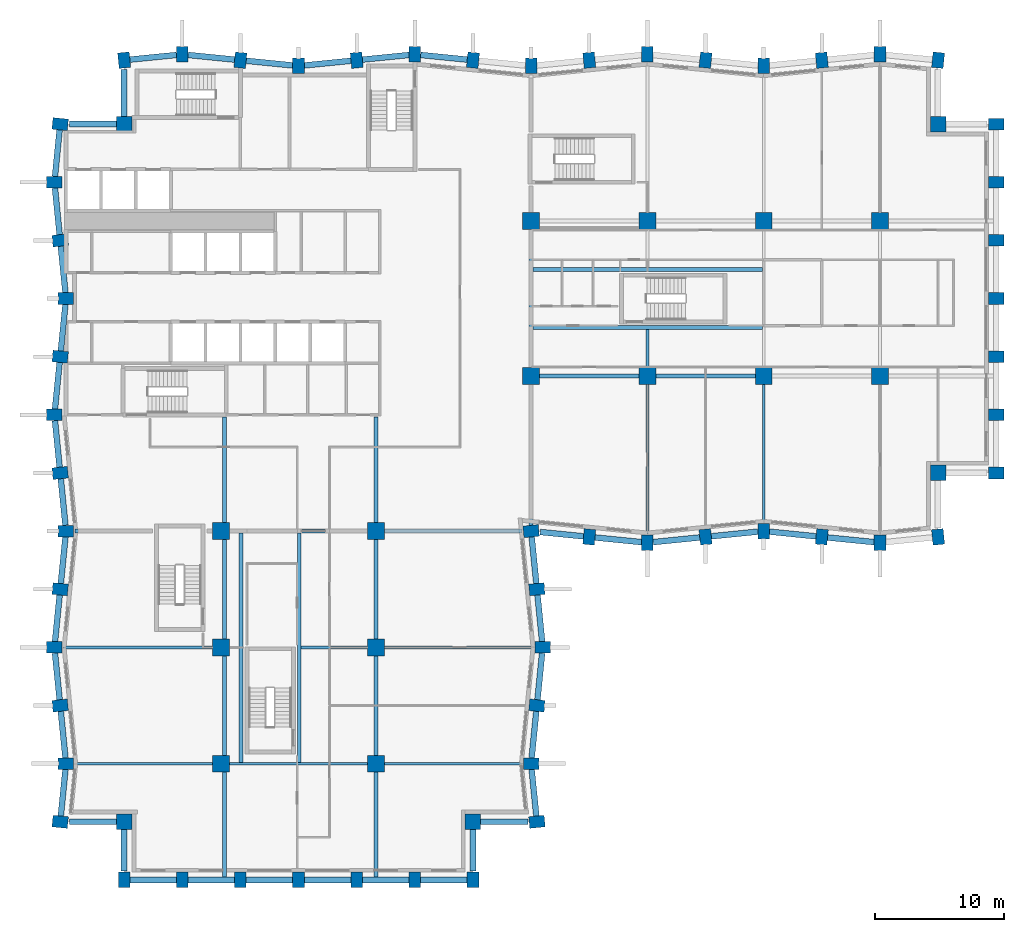
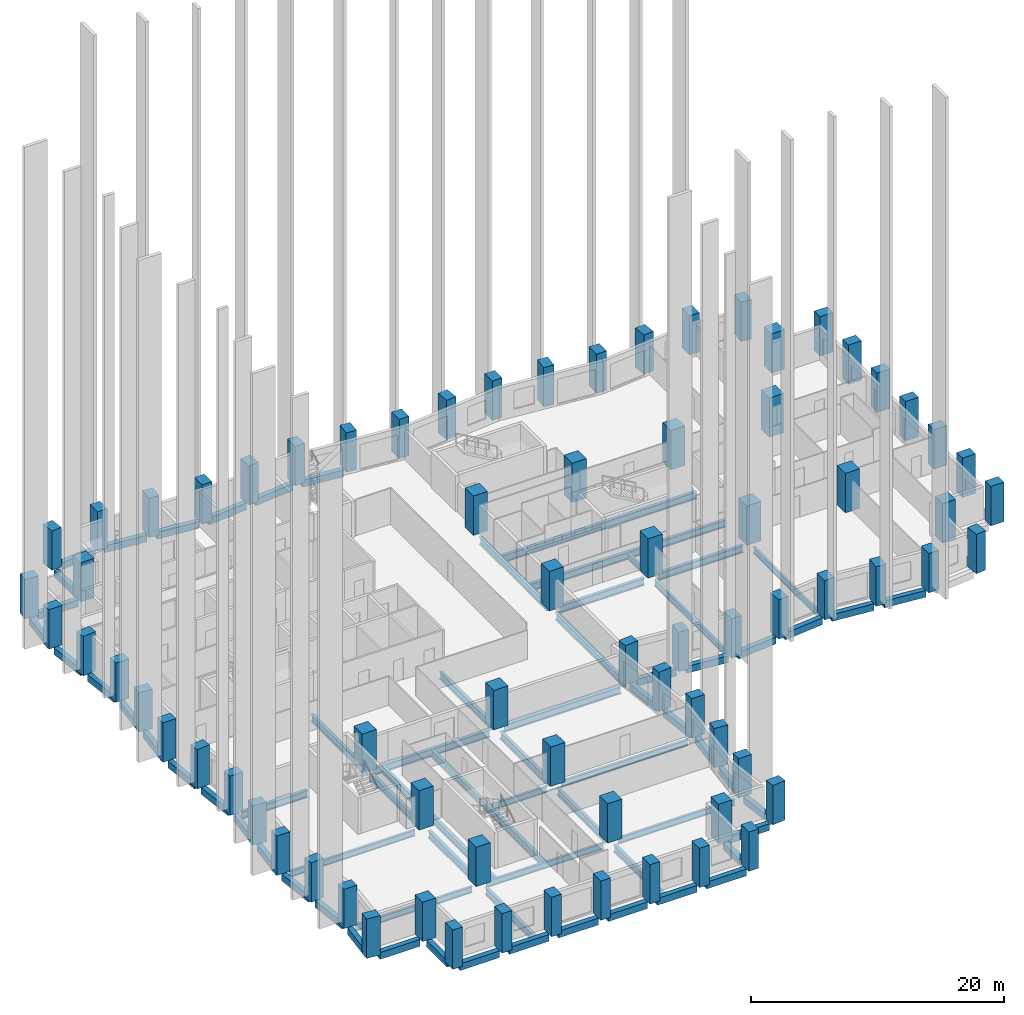
# One storey, part 1 of 12: 74 columns, 69 beams.
"""IFC4 building model written with IfcOpenShell, lengths in metres."""

from ifc_helpers import new_model, si_unit, direction, frame, origin, origin_2d, place, context, subcontext, project, spatial, rectangle, i_section, extrude, material, material_profile, profile_set, type_object, element, save


model = new_model("IFC4")

# Units and contexts
model_context = context("Model", 3, precision=1e-05, world=origin(), true_north=direction((0.0, 1.0)))
body_context = subcontext(model_context, "Body", "Model", "MODEL_VIEW")
ifc_project = project(units=[si_unit("LENGTHUNIT", "METRE"), si_unit("AREAUNIT", "SQUARE_METRE"), si_unit("VOLUMEUNIT", "CUBIC_METRE"), si_unit("PLANEANGLEUNIT", "RADIAN"), si_unit("MASSUNIT", "GRAM", prefix="KILO")], contexts=[model_context])

# Site, building, storey
site_placement = place(None, origin())
site = spatial("IfcSite", under=ifc_project, at=site_placement, CompositionType="ELEMENT")
building_placement = place(site_placement, origin())
building = spatial("IfcBuilding", under=site, at=building_placement, Name="Brondeck Convention Tower", CompositionType="ELEMENT")
storey_placement = place(building_placement, frame((0.0, 0.0, 88.5)))
storey = spatial("IfcBuildingStorey", under=building, at=storey_placement, Name="L20", CompositionType="ELEMENT", Elevation=88.5)

# Columns
ifc_material_1 = material(Name="Concrete C70/85", Category="concrete")
ifc_material_profile_1 = material_profile(ifc_material_1, rectangle(XDim=1.199951171875, YDim=1.199951171875, at=origin_2d()), Name="Corner column 1200x1200 Concrete C70/85")
ifc_profile_set_1 = profile_set([ifc_material_profile_1], Name="Concrete C70/85")
column_type_1 = type_object("IfcColumnType", Name="Corner column 1200x1200 Concrete C70/85", PredefinedType="COLUMN", material=ifc_profile_set_1)
for number, where, z_axis, x_axis, name in (
    (1, (4.5, 4.5, 0.0), (0.0, 0.0, 1.0), (1.0, 0.0, 0.0), "STR-COL-L20-NC-SWB0"),
    (2, (31.5, 4.5, 0.0), (0.0, 0.0, 1.0), (1.0, 0.0, 0.0), "STR-COL-L20-NC-SEB0"),
    (3, (67.5, 31.5, 0.0), (0.0, 0.0, 1.0), (1.0, 0.0, 0.0), "STR-COL-L20-NC-SEA72"),
    (4, (67.5, 58.5, 0.0), (0.0, 0.0, 1.0), (1.0, 0.0, 0.0), "STR-COL-L20-NC-NEA72"),
    (5, (4.5, 58.5, 0.0), (0.0, 0.0, 1.0), (1.0, 0.0, 0.0), "STR-COL-L20-NC-NW"),
):
    element("IfcColumn", number, at=place(storey_placement, frame(where, z_axis=z_axis, x_axis=x_axis)), inside=storey, type_object=column_type_1, Name=name, PredefinedType="COLUMN", context=body_context, shape_type="SweptSolid", body=[
        extrude(rectangle(XDim=1.199951171875, YDim=1.199951171875, at=origin_2d()), origin(), (0.0, 0.0, 1.0), 3.800048828125),
    ])
ifc_material_profile_2 = material_profile(ifc_material_1, rectangle(XDim=1.300048828125, YDim=1.300048828125, at=origin_2d()), Name="Interior column 1300x1300 Concrete C70/85")
ifc_profile_set_2 = profile_set([ifc_material_profile_2], Name="Concrete C70/85")
column_type_2 = type_object("IfcColumnType", Name="Interior column 1300x1300 Concrete C70/85", PredefinedType="COLUMN", material=ifc_profile_set_2)
for number, where, z_axis, x_axis, name in (
    (6, (12.0, 9.0, 0.0), (0.0, 0.0, 1.0), (1.0, 0.0, 0.0), "STR-COL-L20-IC-01"),
    (7, (12.0, 18.0, 0.0), (0.0, 0.0, 1.0), (1.0, 0.0, 0.0), "STR-COL-L20-IC-02"),
    (8, (12.0, 27.0, 0.0), (0.0, 0.0, 1.0), (1.0, 0.0, 0.0), "STR-COL-L20-IC-03"),
    (9, (24.0, 9.0, 0.0), (0.0, 0.0, 1.0), (1.0, 0.0, 0.0), "STR-COL-L20-IC-04"),
    (10, (24.0, 18.0, 0.0), (0.0, 0.0, 1.0), (1.0, 0.0, 0.0), "STR-COL-L20-IC-05"),
    (11, (24.0, 27.0, 0.0), (0.0, 0.0, 1.0), (1.0, 0.0, 0.0), "STR-COL-L20-IC-06"),
    (12, (36.0, 39.0, 0.0), (0.0, 0.0, 1.0), (1.0, 0.0, 0.0), "STR-COL-L20-IC-07"),
    (13, (36.0, 51.0, 0.0), (0.0, 0.0, 1.0), (1.0, 0.0, 0.0), "STR-COL-L20-IC-08"),
    (14, (45.0, 39.0, 0.0), (0.0, 0.0, 1.0), (1.0, 0.0, 0.0), "STR-COL-L20-IC-09"),
    (15, (45.0, 51.0, 0.0), (0.0, 0.0, 1.0), (1.0, 0.0, 0.0), "STR-COL-L20-IC-10"),
    (16, (54.0, 39.0, 0.0), (0.0, 0.0, 1.0), (1.0, 0.0, 0.0), "STR-COL-L20-IC-11"),
    (17, (54.0, 51.0, 0.0), (0.0, 0.0, 1.0), (1.0, 0.0, 0.0), "STR-COL-L20-IC-12"),
    (18, (63.0, 39.0, 0.0), (0.0, 0.0, 1.0), (1.0, 0.0, 0.0), "STR-COL-L20-IC-13"),
    (19, (63.0, 51.0, 0.0), (0.0, 0.0, 1.0), (1.0, 0.0, 0.0), "STR-COL-L20-IC-14"),
):
    element("IfcColumn", number, at=place(storey_placement, frame(where, z_axis=z_axis, x_axis=x_axis)), inside=storey, type_object=column_type_2, Name=name, PredefinedType="COLUMN", context=body_context, shape_type="SweptSolid", body=[
        extrude(rectangle(XDim=1.300048828125, YDim=1.300048828125, at=origin_2d()), origin(), (0.0, 0.0, 1.0), 3.800048828125),
    ])
ifc_material_profile_3 = material_profile(ifc_material_1, rectangle(XDim=0.89990234375, YDim=1.199951171875, at=origin_2d()), Name="Perimeter pier 900x1200 Concrete C70/85")
ifc_profile_set_3 = profile_set([ifc_material_profile_3], Name="Concrete C70/85")
column_type_3 = type_object("IfcColumnType", Name="Perimeter pier 900x1200 Concrete C70/85", PredefinedType="COLUMN", material=ifc_profile_set_3)
for number, where, z_axis, x_axis, name in (
    (20, (4.5, 0.0, 0.0), (0.0, 0.0, 1.0), (1.0, 0.0, 0.0), "STR-COL-L20-PC-B-S0-01"),
    (21, (9.0, 0.0, 0.0), (0.0, 0.0, 1.0), (1.0, 0.0, 0.0), "STR-COL-L20-PC-B-S0-02"),
    (22, (13.5, 0.0, 0.0), (0.0, 0.0, 1.0), (1.0, 0.0, 0.0), "STR-COL-L20-PC-B-S0-03"),
    (23, (18.0, 0.0, 0.0), (0.0, 0.0, 1.0), (1.0, 0.0, 0.0), "STR-COL-L20-PC-B-S0-04"),
    (24, (22.5, 0.0, 0.0), (0.0, 0.0, 1.0), (1.0, 0.0, 0.0), "STR-COL-L20-PC-B-S0-05"),
    (25, (27.0, 0.0, 0.0), (0.0, 0.0, 1.0), (1.0, 0.0, 0.0), "STR-COL-L20-PC-B-S0-06"),
    (26, (31.5, 0.0, 0.0), (0.0, 0.0, 1.0), (1.0, 0.0, 0.0), "STR-COL-L20-PC-B-S0-07"),
    (27, (36.449951171875, 4.5, 0.0), (0.0, 0.0, 1.0), (-0.0995038382, 0.995037178292, 0.0), "STR-COL-L20-PC-B-E-05"),
    (28, (36.0, 9.0, 0.0), (0.0, 0.0, 1.0), (0.0, 1.0, 0.0), "STR-COL-L20-PC-B-E-04"),
    (29, (36.449951171875, 13.5, 0.0), (0.0, 0.0, 1.0), (0.0995038382, 0.995037178292, 0.0), "STR-COL-L20-PC-B-E-03"),
    (30, (36.89990234375, 18.0, 0.0), (0.0, 0.0, 1.0), (0.0, 1.0, 0.0), "STR-COL-L20-PC-B-E-02"),
    (31, (36.449951171875, 22.5, 0.0), (0.0, 0.0, 1.0), (-0.0995038382, 0.995037178292, 0.0), "STR-COL-L20-PC-B-E-01"),
    (32, (36.0, 27.0, 0.0), (0.0, 0.0, 1.0), (-0.0995038382, 0.995037178292, 0.0), "STR-COL-L20-PC-B-E-00"),
    (33, (40.5, 26.550048828125, 0.0), (0.0, 0.0, 1.0), (0.995037178292, -0.0995038382, 0.0), "STR-COL-L20-PC-A-S-01"),
    (34, (45.0, 26.10009765625, 0.0), (0.0, 0.0, 1.0), (1.0, 0.0, 0.0), "STR-COL-L20-PC-A-S-02"),
    (35, (49.5, 26.550048828125, 0.0), (0.0, 0.0, 1.0), (0.995037178292, 0.0995038382, 0.0), "STR-COL-L20-PC-A-S-03"),
    (36, (54.0, 27.0, 0.0), (0.0, 0.0, 1.0), (1.0, 0.0, 0.0), "STR-COL-L20-PC-A-S-04"),
    (37, (58.5, 26.550048828125, 0.0), (0.0, 0.0, 1.0), (0.995037178292, -0.0995038382, 0.0), "STR-COL-L20-PC-A-S-05"),
    (38, (63.0, 26.10009765625, 0.0), (0.0, 0.0, 1.0), (1.0, 0.0, 0.0), "STR-COL-L20-PC-A-S-06"),
    (39, (67.5, 26.550048828125, 0.0), (0.0, 0.0, 1.0), (0.995037178292, 0.0995038382, 0.0), "STR-COL-L20-PC-A-S-07"),
    (40, (72.0, 31.5, 0.0), (0.0, 0.0, 1.0), (0.0, 1.0, 0.0), "STR-COL-L20-PC-A-E72-01"),
    (41, (72.0, 36.0, 0.0), (0.0, 0.0, 1.0), (0.0, 1.0, 0.0), "STR-COL-L20-PC-A-E72-02"),
    (42, (72.0, 40.5, 0.0), (0.0, 0.0, 1.0), (0.0, 1.0, 0.0), "STR-COL-L20-PC-A-E72-03"),
    (43, (72.0, 45.0, 0.0), (0.0, 0.0, 1.0), (0.0, 1.0, 0.0), "STR-COL-L20-PC-A-E72-04"),
    (44, (72.0, 49.5, 0.0), (0.0, 0.0, 1.0), (0.0, 1.0, 0.0), "STR-COL-L20-PC-A-E72-05"),
    (45, (72.0, 54.0, 0.0), (0.0, 0.0, 1.0), (0.0, 1.0, 0.0), "STR-COL-L20-PC-A-E72-06"),
    (46, (72.0, 58.5, 0.0), (0.0, 0.0, 1.0), (0.0, 1.0, 0.0), "STR-COL-L20-PC-A-E72-07"),
    (47, (67.5, 63.449951171875, 0.0), (0.0, 0.0, 1.0), (-0.995037178292, 0.0995038382, 0.0), "STR-COL-L20-PC-A-N-15"),
    (48, (63.0, 63.89990234375, 0.0), (0.0, 0.0, 1.0), (-1.0, 0.0, 0.0), "STR-COL-L20-PC-A-N-14"),
    (49, (58.5, 63.449951171875, 0.0), (0.0, 0.0, 1.0), (-0.995037178292, -0.0995038382, 0.0), "STR-COL-L20-PC-A-N-13"),
    (50, (54.0, 63.0, 0.0), (0.0, 0.0, 1.0), (-1.0, 0.0, 0.0), "STR-COL-L20-PC-A-N-12"),
    (51, (49.5, 63.449951171875, 0.0), (0.0, 0.0, 1.0), (-0.995037178292, 0.0995038382, 0.0), "STR-COL-L20-PC-A-N-11"),
    (52, (45.0, 63.89990234375, 0.0), (0.0, 0.0, 1.0), (-1.0, 0.0, 0.0), "STR-COL-L20-PC-A-N-10"),
    (53, (40.5, 63.449951171875, 0.0), (0.0, 0.0, 1.0), (-0.995037178292, -0.0995038382, 0.0), "STR-COL-L20-PC-A-N-09"),
    (54, (36.0, 63.0, 0.0), (0.0, 0.0, 1.0), (-1.0, 0.0, 0.0), "STR-COL-L20-PC-A-N-08"),
    (55, (31.5, 63.449951171875, 0.0), (0.0, 0.0, 1.0), (-0.995037178292, 0.0995038382, 0.0), "STR-COL-L20-PC-A-N-07"),
    (56, (27.0, 63.89990234375, 0.0), (0.0, 0.0, 1.0), (-1.0, 0.0, 0.0), "STR-COL-L20-PC-A-N-06"),
    (57, (22.5, 63.449951171875, 0.0), (0.0, 0.0, 1.0), (-0.995037178292, -0.0995038382, 0.0), "STR-COL-L20-PC-A-N-05"),
    (58, (18.0, 63.0, 0.0), (0.0, 0.0, 1.0), (-1.0, 0.0, 0.0), "STR-COL-L20-PC-A-N-04"),
    (59, (13.5, 63.449951171875, 0.0), (0.0, 0.0, 1.0), (-0.995037178292, 0.0995038382, 0.0), "STR-COL-L20-PC-A-N-03"),
    (60, (9.0, 63.89990234375, 0.0), (0.0, 0.0, 1.0), (-1.0, 0.0, 0.0), "STR-COL-L20-PC-A-N-02"),
    (61, (4.5, 63.449951171875, 0.0), (0.0, 0.0, 1.0), (-0.995037178292, -0.0995038382, 0.0), "STR-COL-L20-PC-A-N-01"),
    (62, (-0.449951171875, 58.5, 0.0), (0.0, 0.0, 1.0), (-0.0995038382, -0.995037178292, 0.0), "STR-COL-L20-PC-B-W-01"),
    (63, (-0.89990234375, 54.0, 0.0), (0.0, 0.0, 1.0), (0.0, -1.0, 0.0), "STR-COL-L20-PC-B-W-02"),
    (64, (-0.449951171875, 49.5, 0.0), (0.0, 0.0, 1.0), (0.0995038382, -0.995037178292, 0.0), "STR-COL-L20-PC-B-W-03"),
    (65, (0.0, 45.0, 0.0), (0.0, 0.0, 1.0), (0.0, -1.0, 0.0), "STR-COL-L20-PC-B-W-04"),
    (66, (-0.449951171875, 40.5, 0.0), (0.0, 0.0, 1.0), (-0.0995038382, -0.995037178292, 0.0), "STR-COL-L20-PC-B-W-05"),
    (67, (-0.89990234375, 36.0, 0.0), (0.0, 0.0, 1.0), (0.0, -1.0, 0.0), "STR-COL-L20-PC-B-W-06"),
    (68, (-0.449951171875, 31.5, 0.0), (0.0, 0.0, 1.0), (0.0995038382, -0.995037178292, 0.0), "STR-COL-L20-PC-B-W-07"),
    (69, (0.0, 27.0, 0.0), (0.0, 0.0, 1.0), (0.0, -1.0, 0.0), "STR-COL-L20-PC-B-W-08"),
    (70, (-0.449951171875, 22.5, 0.0), (0.0, 0.0, 1.0), (-0.0995038382, -0.995037178292, 0.0), "STR-COL-L20-PC-B-W-09"),
    (71, (-0.89990234375, 18.0, 0.0), (0.0, 0.0, 1.0), (0.0, -1.0, 0.0), "STR-COL-L20-PC-B-W-10"),
    (72, (-0.449951171875, 13.5, 0.0), (0.0, 0.0, 1.0), (0.0995038382, -0.995037178292, 0.0), "STR-COL-L20-PC-B-W-11"),
    (73, (0.0, 9.0, 0.0), (0.0, 0.0, 1.0), (0.0, -1.0, 0.0), "STR-COL-L20-PC-B-W-12"),
    (74, (-0.449951171875, 4.5, 0.0), (0.0, 0.0, 1.0), (-0.0995038382, -0.995037178292, 0.0), "STR-COL-L20-PC-B-W-13"),
):
    element("IfcColumn", number, at=place(storey_placement, frame(where, z_axis=z_axis, x_axis=x_axis)), inside=storey, type_object=column_type_3, Name=name, PredefinedType="COLUMN", context=body_context, shape_type="SweptSolid", body=[
        extrude(rectangle(XDim=0.89990234375, YDim=1.199951171875, at=origin_2d()), origin(), (0.0, 0.0, 1.0), 3.800048828125),
    ])

# Beams
ifc_material_2 = material(Name="Steel S355", Category="steel")
ifc_material_profile_4 = material_profile(ifc_material_2, i_section(OverallWidth=0.219970703125, OverallDepth=0.60009765625, WebThickness=0.011962890625, FlangeThickness=0.01904296875, FilletRadius=0.02392578125, at=origin_2d()), Name="IPE 600")
ifc_profile_set_4 = profile_set([ifc_material_profile_4], Name="Steel S355")
beam_type_1 = type_object("IfcBeamType", Name="Floor beam IPE 600", PredefinedType="BEAM", material=ifc_profile_set_4)
beam_1_placement = place(storey_placement, frame((45.0, 26.800048828125, -0.60009765625), z_axis=(0.0, 1.0, 0.0), x_axis=(-1.0, 0.0, 0.0)))
element("IfcBeam", 75, at=beam_1_placement, inside=storey, type_object=beam_type_1, Name="STR-FB-L20-001", PredefinedType="BEAM", context=body_context, shape_type="SweptSolid", body=[
    extrude(i_section(OverallWidth=0.219970703125, OverallDepth=0.60009765625, WebThickness=0.011962890625, FlangeThickness=0.01904296875, FilletRadius=0.02392578125, at=origin_2d()), origin(), (0.0, 0.0, 1.0), 11.550048828125),
])
for number, where, z_axis, x_axis, name in (
    (76, (54.0, 27.699951171875, -0.60009765625), (0.0, 1.0, 0.0), (-1.0, 0.0, 0.0), "STR-FB-L20-003"),
    (77, (0.699951171875, 9.0, -0.60009765625), (1.0, 0.0, 0.0), (0.0, 1.0, 0.0), "STR-FB-L20-009"),
):
    element("IfcBeam", number, at=place(storey_placement, frame(where, z_axis=z_axis, x_axis=x_axis)), inside=storey, type_object=beam_type_1, Name=name, PredefinedType="BEAM", context=body_context, shape_type="SweptSolid", body=[
        extrude(i_section(OverallWidth=0.219970703125, OverallDepth=0.60009765625, WebThickness=0.011962890625, FlangeThickness=0.01904296875, FilletRadius=0.02392578125, at=origin_2d()), origin(), (0.0, 0.0, 1.0), 10.650146484375),
    ])
beam_2_placement = place(storey_placement, frame((12.64990234375, 9.0, -0.60009765625), z_axis=(1.0, 0.0, 0.0), x_axis=(0.0, 1.0, 0.0)))
element("IfcBeam", 78, at=beam_2_placement, inside=storey, type_object=beam_type_1, Name="STR-FB-L20-010", PredefinedType="BEAM", context=body_context, shape_type="SweptSolid", body=[
    extrude(i_section(OverallWidth=0.219970703125, OverallDepth=0.60009765625, WebThickness=0.011962890625, FlangeThickness=0.01904296875, FilletRadius=0.02392578125, at=origin_2d()), origin(), (0.0, 0.0, 1.0), 10.7001953125),
])
beam_3_placement = place(storey_placement, frame((24.64990234375, 9.0, -0.60009765625), z_axis=(1.0, 0.0, 0.0), x_axis=(0.0, 1.0, 0.0)))
element("IfcBeam", 79, at=beam_3_placement, inside=storey, type_object=beam_type_1, Name="STR-FB-L20-011", PredefinedType="BEAM", context=body_context, shape_type="SweptSolid", body=[
    extrude(i_section(OverallWidth=0.219970703125, OverallDepth=0.60009765625, WebThickness=0.011962890625, FlangeThickness=0.01904296875, FilletRadius=0.02392578125, at=origin_2d()), origin(), (0.0, 0.0, 1.0), 10.650146484375),
])
for number, where, z_axis, x_axis, name in (
    (80, (-0.199951171875, 18.0, -0.60009765625), (1.0, 0.0, 0.0), (0.0, 1.0, 0.0), "STR-FB-L20-012"),
    (81, (24.64990234375, 18.0, -0.60009765625), (1.0, 0.0, 0.0), (0.0, 1.0, 0.0), "STR-FB-L20-013"),
):
    element("IfcBeam", number, at=place(storey_placement, frame(where, z_axis=z_axis, x_axis=x_axis)), inside=storey, type_object=beam_type_1, Name=name, PredefinedType="BEAM", context=body_context, shape_type="SweptSolid", body=[
        extrude(i_section(OverallWidth=0.219970703125, OverallDepth=0.60009765625, WebThickness=0.011962890625, FlangeThickness=0.01904296875, FilletRadius=0.02392578125, at=origin_2d()), origin(), (0.0, 0.0, 1.0), 11.550048828125),
    ])
beam_4_placement = place(storey_placement, frame((45.0, 39.64990234375, -0.60009765625), z_axis=(0.0, 1.0, 0.0), x_axis=(-1.0, 0.0, 0.0)))
element("IfcBeam", 82, at=beam_4_placement, inside=storey, type_object=beam_type_1, Name="STR-FB-L20-014", PredefinedType="BEAM", context=body_context, shape_type="SweptSolid", body=[
    extrude(i_section(OverallWidth=0.219970703125, OverallDepth=0.60009765625, WebThickness=0.011962890625, FlangeThickness=0.01904296875, FilletRadius=0.02392578125, at=origin_2d()), origin(), (0.0, 0.0, 1.0), 2.9501953125),
])
beam_5_placement = place(storey_placement, frame((18.199951171875, 18.0, -0.60009765625), z_axis=(1.0, 0.0, 0.0), x_axis=(0.0, 1.0, 0.0)))
element("IfcBeam", 83, at=beam_5_placement, inside=storey, type_object=beam_type_1, Name="STR-FB-L20-016", PredefinedType="BEAM", context=body_context, shape_type="SweptSolid", body=[
    extrude(i_section(OverallWidth=0.219970703125, OverallDepth=0.60009765625, WebThickness=0.011962890625, FlangeThickness=0.01904296875, FilletRadius=0.02392578125, at=origin_2d()), origin(), (0.0, 0.0, 1.0), 5.150146484375),
])
ifc_material_profile_5 = material_profile(ifc_material_2, i_section(OverallWidth=0.300048828125, OverallDepth=0.699951171875, WebThickness=0.01708984375, FlangeThickness=0.031982421875, FilletRadius=0.027099609375, at=origin_2d()), Name="HEB 700")
ifc_profile_set_5 = profile_set([ifc_material_profile_5], Name="Steel S355")
beam_type_2 = type_object("IfcBeamType", Name="Girder HEB 700", PredefinedType="BEAM", material=ifc_profile_set_5)
for number, where, z_axis, x_axis, name in (
    (84, (36.64990234375, 39.0, -0.64990234375), (1.0, 0.0, 0.0), (0.0, 1.0, 0.0), "STR-GR-L20-001"),
    (85, (45.64990234375, 39.0, -0.64990234375), (1.0, 0.0, 0.0), (0.0, 1.0, 0.0), "STR-GR-L20-002"),
):
    element("IfcBeam", number, at=place(storey_placement, frame(where, z_axis=z_axis, x_axis=x_axis)), inside=storey, type_object=beam_type_2, Name=name, PredefinedType="BEAM", context=body_context, shape_type="SweptSolid", body=[
        extrude(i_section(OverallWidth=0.300048828125, OverallDepth=0.699951171875, WebThickness=0.01708984375, FlangeThickness=0.031982421875, FilletRadius=0.027099609375, at=origin_2d()), origin(), (0.0, 0.0, 1.0), 7.7001953125),
    ])
beam_6_placement = place(storey_placement, frame((36.0, 27.4521484375, -0.64990234375), z_axis=(0.0, 1.0, 0.0), x_axis=(-1.0, 0.0, 0.0)))
element("IfcBeam", 86, at=beam_6_placement, inside=storey, type_object=beam_type_2, Name="STR-GR-L20-009", PredefinedType="BEAM", context=body_context, shape_type="SweptSolid", body=[
    extrude(i_section(OverallWidth=0.300048828125, OverallDepth=0.699951171875, WebThickness=0.01708984375, FlangeThickness=0.031982421875, FilletRadius=0.027099609375, at=origin_2d()), origin(), (0.0, 0.0, 1.0), 10.89794921875),
])
beam_7_placement = place(storey_placement, frame((36.0, 39.64990234375, -0.64990234375), z_axis=(0.0, 1.0, 0.0), x_axis=(-1.0, 0.0, 0.0)))
element("IfcBeam", 87, at=beam_7_placement, inside=storey, type_object=beam_type_2, Name="STR-GR-L20-010", PredefinedType="BEAM", context=body_context, shape_type="SweptSolid", body=[
    extrude(i_section(OverallWidth=0.300048828125, OverallDepth=0.699951171875, WebThickness=0.01708984375, FlangeThickness=0.031982421875, FilletRadius=0.027099609375, at=origin_2d()), origin(), (0.0, 0.0, 1.0), 10.7001953125),
])
beam_8_placement = place(storey_placement, frame((12.27001953125, 35.85009765625, -0.64990234375), z_axis=(0.0, -1.0, 0.0), x_axis=(1.0, 0.0, 0.0)))
element("IfcBeam", 88, at=beam_8_placement, inside=storey, type_object=beam_type_2, Name="STR-GR-L20-013", PredefinedType="BEAM", context=body_context, shape_type="SweptSolid", body=[
    extrude(i_section(OverallWidth=0.300048828125, OverallDepth=0.699951171875, WebThickness=0.01708984375, FlangeThickness=0.031982421875, FilletRadius=0.027099609375, at=origin_2d()), origin(), (0.0, 0.0, 1.0), 8.2001953125),
])
for number, where, z_axis, x_axis, name in (
    (89, (12.27001953125, 26.35009765625, -0.64990234375), (0.0, -1.0, 0.0), (1.0, 0.0, 0.0), "STR-GR-L20-014"),
    (90, (12.27001953125, 17.35009765625, -0.64990234375), (0.0, -1.0, 0.0), (1.0, 0.0, 0.0), "STR-GR-L20-015"),
):
    element("IfcBeam", number, at=place(storey_placement, frame(where, z_axis=z_axis, x_axis=x_axis)), inside=storey, type_object=beam_type_2, Name=name, PredefinedType="BEAM", context=body_context, shape_type="SweptSolid", body=[
        extrude(i_section(OverallWidth=0.300048828125, OverallDepth=0.699951171875, WebThickness=0.01708984375, FlangeThickness=0.031982421875, FilletRadius=0.027099609375, at=origin_2d()), origin(), (0.0, 0.0, 1.0), 7.7001953125),
    ])
beam_9_placement = place(storey_placement, frame((12.27001953125, 8.35009765625, -0.64990234375), z_axis=(0.0, -1.0, 0.0), x_axis=(1.0, 0.0, 0.0)))
element("IfcBeam", 91, at=beam_9_placement, inside=storey, type_object=beam_type_2, Name="STR-GR-L20-016", PredefinedType="BEAM", context=body_context, shape_type="SweptSolid", body=[
    extrude(i_section(OverallWidth=0.300048828125, OverallDepth=0.699951171875, WebThickness=0.01708984375, FlangeThickness=0.031982421875, FilletRadius=0.027099609375, at=origin_2d()), origin(), (0.0, 0.0, 1.0), 8.125),
])
beam_10_placement = place(storey_placement, frame((24.0, 35.85009765625, -0.64990234375), z_axis=(0.0, -1.0, 0.0), x_axis=(1.0, 0.0, 0.0)))
element("IfcBeam", 92, at=beam_10_placement, inside=storey, type_object=beam_type_2, Name="STR-GR-L20-017", PredefinedType="BEAM", context=body_context, shape_type="SweptSolid", body=[
    extrude(i_section(OverallWidth=0.300048828125, OverallDepth=0.699951171875, WebThickness=0.01708984375, FlangeThickness=0.031982421875, FilletRadius=0.027099609375, at=origin_2d()), origin(), (0.0, 0.0, 1.0), 8.2001953125),
])
for number, where, z_axis, x_axis, name in (
    (93, (24.0, 26.35009765625, -0.64990234375), (0.0, -1.0, 0.0), (1.0, 0.0, 0.0), "STR-GR-L20-018"),
    (94, (24.0, 17.35009765625, -0.64990234375), (0.0, -1.0, 0.0), (1.0, 0.0, 0.0), "STR-GR-L20-019"),
):
    element("IfcBeam", number, at=place(storey_placement, frame(where, z_axis=z_axis, x_axis=x_axis)), inside=storey, type_object=beam_type_2, Name=name, PredefinedType="BEAM", context=body_context, shape_type="SweptSolid", body=[
        extrude(i_section(OverallWidth=0.300048828125, OverallDepth=0.699951171875, WebThickness=0.01708984375, FlangeThickness=0.031982421875, FilletRadius=0.027099609375, at=origin_2d()), origin(), (0.0, 0.0, 1.0), 7.7001953125),
    ])
beam_11_placement = place(storey_placement, frame((24.0, 8.35009765625, -0.64990234375), z_axis=(0.0, -1.0, 0.0), x_axis=(1.0, 0.0, 0.0)))
element("IfcBeam", 95, at=beam_11_placement, inside=storey, type_object=beam_type_2, Name="STR-GR-L20-020", PredefinedType="BEAM", context=body_context, shape_type="SweptSolid", body=[
    extrude(i_section(OverallWidth=0.300048828125, OverallDepth=0.699951171875, WebThickness=0.01708984375, FlangeThickness=0.031982421875, FilletRadius=0.027099609375, at=origin_2d()), origin(), (0.0, 0.0, 1.0), 8.125),
])
beam_12_placement = place(storey_placement, frame((0.699951171875, 27.0, -0.64990234375), z_axis=(1.0, 0.0, 0.0), x_axis=(0.0, 1.0, 0.0)))
element("IfcBeam", 96, at=beam_12_placement, inside=storey, type_object=beam_type_2, Name="STR-GR-L20-021", PredefinedType="BEAM", context=body_context, shape_type="SweptSolid", body=[
    extrude(i_section(OverallWidth=0.300048828125, OverallDepth=0.699951171875, WebThickness=0.01708984375, FlangeThickness=0.031982421875, FilletRadius=0.027099609375, at=origin_2d()), origin(), (0.0, 0.0, 1.0), 6.0),
])
beam_13_placement = place(storey_placement, frame((12.64990234375, 27.0, -0.64990234375), z_axis=(1.0, 0.0, 0.0), x_axis=(0.0, 1.0, 0.0)))
element("IfcBeam", 97, at=beam_13_placement, inside=storey, type_object=beam_type_2, Name="STR-GR-L20-022", PredefinedType="BEAM", context=body_context, shape_type="SweptSolid", body=[
    extrude(i_section(OverallWidth=0.300048828125, OverallDepth=0.699951171875, WebThickness=0.01708984375, FlangeThickness=0.031982421875, FilletRadius=0.027099609375, at=origin_2d()), origin(), (0.0, 0.0, 1.0), 10.7001953125),
])
beam_14_placement = place(storey_placement, frame((24.64990234375, 27.0, -0.64990234375), z_axis=(1.0, 0.0, 0.0), x_axis=(0.0, 1.0, 0.0)))
element("IfcBeam", 98, at=beam_14_placement, inside=storey, type_object=beam_type_2, Name="STR-GR-L20-023", PredefinedType="BEAM", context=body_context, shape_type="SweptSolid", body=[
    extrude(i_section(OverallWidth=0.300048828125, OverallDepth=0.699951171875, WebThickness=0.01708984375, FlangeThickness=0.031982421875, FilletRadius=0.027099609375, at=origin_2d()), origin(), (0.0, 0.0, 1.0), 10.646484375),
])
for number, where, z_axis, x_axis, name in (
    (99, (36.14990234375, 42.75, -0.64990234375), (1.0, 0.0, 0.0), (0.0, 1.0, 0.0), "STR-GR-L20-024"),
    (100, (36.14990234375, 47.25, -0.64990234375), (1.0, 0.0, 0.0), (0.0, 1.0, 0.0), "STR-GR-L20-025"),
    (101, (13.550048828125, 9.110107421875, -0.64990234375), (0.0, 1.0, 0.0), (-1.0, 0.0, 0.0), "STR-GR-L20-026"),
    (102, (18.050048828125, 9.110107421875, -0.64990234375), (0.0, 1.0, 0.0), (-1.0, 0.0, 0.0), "STR-GR-L20-027"),
):
    element("IfcBeam", number, at=place(storey_placement, frame(where, z_axis=z_axis, x_axis=x_axis)), inside=storey, type_object=beam_type_2, Name=name, PredefinedType="BEAM", context=body_context, shape_type="SweptSolid", body=[
        extrude(i_section(OverallWidth=0.300048828125, OverallDepth=0.699951171875, WebThickness=0.01708984375, FlangeThickness=0.031982421875, FilletRadius=0.027099609375, at=origin_2d()), origin(), (0.0, 0.0, 1.0), 17.739990234375),
    ])
ifc_material_profile_6 = material_profile(ifc_material_1, rectangle(XDim=0.449951171875, YDim=0.64990234375, at=origin_2d()), Name="Precast spandrel 450x650 Concrete C70/85")
ifc_profile_set_6 = profile_set([ifc_material_profile_6], Name="Concrete C70/85")
beam_type_3 = type_object("IfcBeamType", Name="Precast spandrel 450x650 Concrete C70/85", PredefinedType="SPANDREL", material=ifc_profile_set_6)
for number, where, z_axis, x_axis, name in (
    (103, (4.949951171875, 0.0, -0.324951171875), (1.0, 0.0, 0.0), (0.0, 1.0, 0.0), "STR-SP-L20-001"),
    (104, (9.449951171875, 0.0, -0.324951171875), (1.0, 0.0, 0.0), (0.0, 1.0, 0.0), "STR-SP-L20-002"),
    (105, (13.949951171875, 0.0, -0.324951171875), (1.0, 0.0, 0.0), (0.0, 1.0, 0.0), "STR-SP-L20-003"),
    (106, (18.449951171875, 0.0, -0.324951171875), (1.0, 0.0, 0.0), (0.0, 1.0, 0.0), "STR-SP-L20-004"),
    (107, (22.949951171875, 0.0, -0.324951171875), (1.0, 0.0, 0.0), (0.0, 1.0, 0.0), "STR-SP-L20-005"),
    (108, (27.449951171875, 0.0, -0.324951171875), (1.0, 0.0, 0.0), (0.0, 1.0, 0.0), "STR-SP-L20-006"),
):
    element("IfcBeam", number, at=place(storey_placement, frame(where, z_axis=z_axis, x_axis=x_axis)), inside=storey, type_object=beam_type_3, Name=name, PredefinedType="SPANDREL", context=body_context, shape_type="SweptSolid", body=[
        extrude(rectangle(XDim=0.449951171875, YDim=0.64990234375, at=origin_2d()), origin(), (0.0, 0.0, 1.0), 3.60009765625),
    ])
beam_15_placement = place(storey_placement, frame((31.5, 0.699951171875, -0.324951171875), z_axis=(0.0, 1.0, 0.0), x_axis=(-1.0, 0.0, 0.0)))
element("IfcBeam", 109, at=beam_15_placement, inside=storey, type_object=beam_type_3, Name="STR-SP-L20-007", PredefinedType="SPANDREL", context=body_context, shape_type="SweptSolid", body=[
    extrude(rectangle(XDim=0.449951171875, YDim=0.64990234375, at=origin_2d()), origin(), (0.0, 0.0, 1.0), 3.199951171875),
])
beam_16_placement = place(storey_placement, frame((32.10009765625, 4.5, -0.324951171875), z_axis=(1.0, 0.0, 0.0), x_axis=(0.0, 1.0, 0.0)))
element("IfcBeam", 110, at=beam_16_placement, inside=storey, type_object=beam_type_3, Name="STR-SP-L20-008", PredefinedType="SPANDREL", context=body_context, shape_type="SweptSolid", body=[
    extrude(rectangle(XDim=0.449951171875, YDim=0.64990234375, at=origin_2d()), origin(), (0.0, 0.0, 1.0), 3.646484375),
])
for number, where, z_axis, x_axis, name in (
    (111, (36.4052734375, 4.94775390625, -0.324951171875), (-0.099537103649, 0.995033851182, 0.0), (-0.995033851182, -0.099537103649, 0.0), "STR-SP-L20-009"),
    (112, (36.044921875, 9.449951171875, -0.324951171875), (0.099537103649, 0.995033851182, 0.0), (-0.995033851182, 0.099537103649, 0.0), "STR-SP-L20-010"),
    (113, (36.494873046875, 13.94775390625, -0.324951171875), (0.099470334057, 0.995040528141, 0.0), (-0.995040528141, 0.099470334057, 0.0), "STR-SP-L20-011"),
    (114, (36.85498046875, 18.449951171875, -0.324951171875), (-0.099470334057, 0.995040528141, 0.0), (-0.995040528141, -0.099470334057, 0.0), "STR-SP-L20-012"),
):
    element("IfcBeam", number, at=place(storey_placement, frame(where, z_axis=z_axis, x_axis=x_axis)), inside=storey, type_object=beam_type_3, Name=name, PredefinedType="SPANDREL", context=body_context, shape_type="SweptSolid", body=[
        extrude(rectangle(XDim=0.449951171875, YDim=0.64990234375, at=origin_2d()), origin(), (0.0, 0.0, 1.0), 3.620361328125),
    ])
beam_17_placement = place(storey_placement, frame((36.4052734375, 22.94775390625, -0.324951171875), z_axis=(-0.099543756114, 0.995033185687, 0.0), x_axis=(-0.995033185687, -0.099543756114, 0.0)))
element("IfcBeam", 115, at=beam_17_placement, inside=storey, type_object=beam_type_3, Name="STR-SP-L20-013", PredefinedType="SPANDREL", context=body_context, shape_type="SweptSolid", body=[
    extrude(rectangle(XDim=0.449951171875, YDim=0.64990234375, at=origin_2d()), origin(), (0.0, 0.0, 1.0), 3.62255859375),
])
beam_18_placement = place(storey_placement, frame((36.710693359375, 26.928955078125, -0.324951171875), z_axis=(0.995035030591, -0.099525312843, 0.0), x_axis=(0.099525312843, 0.995035030591, 0.0)))
element("IfcBeam", 116, at=beam_18_placement, inside=storey, type_object=beam_type_3, Name="STR-SP-L20-014", PredefinedType="SPANDREL", context=body_context, shape_type="SweptSolid", body=[
    extrude(rectangle(XDim=0.449951171875, YDim=0.64990234375, at=origin_2d()), origin(), (0.0, 0.0, 1.0), 3.358154296875),
])
for number, where, z_axis, x_axis, name in (
    (117, (40.94775390625, 26.505126953125, -0.324951171875), (0.995040528141, -0.099470334057, 0.0), (0.099470334057, 0.995040528141, 0.0), "STR-SP-L20-015"),
    (118, (45.449951171875, 26.14501953125, -0.324951171875), (0.995040528141, 0.099470334057, 0.0), (-0.099470334057, 0.995040528141, 0.0), "STR-SP-L20-016"),
    (119, (49.94775390625, 26.5947265625, -0.324951171875), (0.995033851182, 0.099537103649, 0.0), (-0.099537103649, 0.995033851182, 0.0), "STR-SP-L20-017"),
    (120, (54.449951171875, 26.955078125, -0.324951171875), (0.995033851182, -0.099537103649, 0.0), (0.099537103649, 0.995033851182, 0.0), "STR-SP-L20-018"),
    (121, (58.94775390625, 26.505126953125, -0.324951171875), (0.995040528141, -0.099470334057, 0.0), (0.099470334057, 0.995040528141, 0.0), "STR-SP-L20-019"),
    (122, (31.05224609375, 63.494873046875, -0.324951171875), (-0.995040528141, 0.099470334057, 0.0), (-0.099470334057, -0.995040528141, 0.0), "STR-SP-L20-039"),
    (123, (26.550048828125, 63.85498046875, -0.324951171875), (-0.995040528141, -0.099470334057, 0.0), (0.099470334057, -0.995040528141, 0.0), "STR-SP-L20-040"),
    (124, (22.05224609375, 63.4052734375, -0.324951171875), (-0.995033851182, -0.099537103649, 0.0), (0.099537103649, -0.995033851182, 0.0), "STR-SP-L20-041"),
    (125, (17.550048828125, 63.044921875, -0.324951171875), (-0.995033851182, 0.099537103649, 0.0), (-0.099537103649, -0.995033851182, 0.0), "STR-SP-L20-042"),
    (126, (13.05224609375, 63.494873046875, -0.324951171875), (-0.995040528141, 0.099470334057, 0.0), (-0.099470334057, -0.995040528141, 0.0), "STR-SP-L20-043"),
    (127, (8.550048828125, 63.85498046875, -0.324951171875), (-0.995040528141, -0.099470334057, 0.0), (0.099470334057, -0.995040528141, 0.0), "STR-SP-L20-044"),
):
    element("IfcBeam", number, at=place(storey_placement, frame(where, z_axis=z_axis, x_axis=x_axis)), inside=storey, type_object=beam_type_3, Name=name, PredefinedType="SPANDREL", context=body_context, shape_type="SweptSolid", body=[
        extrude(rectangle(XDim=0.449951171875, YDim=0.64990234375, at=origin_2d()), origin(), (0.0, 0.0, 1.0), 3.620361328125),
    ])
for number, where, z_axis, x_axis, name in (
    (128, (4.5, 62.74658203125, -0.324951171875), (0.0, -1.0, 0.0), (1.0, 0.0, 0.0), "STR-SP-L20-045"),
    (129, (3.89990234375, 58.5, -0.324951171875), (-1.0, 0.0, 0.0), (0.0, -1.0, 0.0), "STR-SP-L20-046"),
):
    element("IfcBeam", number, at=place(storey_placement, frame(where, z_axis=z_axis, x_axis=x_axis)), inside=storey, type_object=beam_type_3, Name=name, PredefinedType="SPANDREL", context=body_context, shape_type="SweptSolid", body=[
        extrude(rectangle(XDim=0.449951171875, YDim=0.64990234375, at=origin_2d()), origin(), (0.0, 0.0, 1.0), 3.646484375),
    ])
for number, where, z_axis, x_axis, name in (
    (130, (-0.494873046875, 58.05224609375, -0.324951171875), (-0.099470334057, -0.995040528141, 0.0), (0.995040528141, -0.099470334057, 0.0), "STR-SP-L20-047"),
    (131, (-0.85498046875, 53.550048828125, -0.324951171875), (0.099470334057, -0.995040528141, 0.0), (0.995040528141, 0.099470334057, 0.0), "STR-SP-L20-048"),
    (132, (-0.4052734375, 49.05224609375, -0.324951171875), (0.099537103649, -0.995033851182, 0.0), (0.995033851182, 0.099537103649, 0.0), "STR-SP-L20-049"),
    (133, (-0.044921875, 44.550048828125, -0.324951171875), (-0.099537103649, -0.995033851182, 0.0), (0.995033851182, -0.099537103649, 0.0), "STR-SP-L20-050"),
    (134, (-0.494873046875, 40.05224609375, -0.324951171875), (-0.099470334057, -0.995040528141, 0.0), (0.995040528141, -0.099470334057, 0.0), "STR-SP-L20-051"),
    (135, (-0.85498046875, 35.550048828125, -0.324951171875), (0.099470334057, -0.995040528141, 0.0), (0.995040528141, 0.099470334057, 0.0), "STR-SP-L20-052"),
    (136, (-0.4052734375, 31.05224609375, -0.324951171875), (0.099537103649, -0.995033851182, 0.0), (0.995033851182, 0.099537103649, 0.0), "STR-SP-L20-053"),
    (137, (-0.044921875, 26.550048828125, -0.324951171875), (-0.099537103649, -0.995033851182, 0.0), (0.995033851182, -0.099537103649, 0.0), "STR-SP-L20-054"),
    (138, (-0.494873046875, 22.05224609375, -0.324951171875), (-0.099470334057, -0.995040528141, 0.0), (0.995040528141, -0.099470334057, 0.0), "STR-SP-L20-055"),
    (139, (-0.85498046875, 17.550048828125, -0.324951171875), (0.099470334057, -0.995040528141, 0.0), (0.995040528141, 0.099470334057, 0.0), "STR-SP-L20-056"),
    (140, (-0.4052734375, 13.05224609375, -0.324951171875), (0.099537103649, -0.995033851182, 0.0), (0.995033851182, 0.099537103649, 0.0), "STR-SP-L20-057"),
    (141, (-0.044921875, 8.550048828125, -0.324951171875), (-0.099537103649, -0.995033851182, 0.0), (0.995033851182, -0.099537103649, 0.0), "STR-SP-L20-058"),
):
    element("IfcBeam", number, at=place(storey_placement, frame(where, z_axis=z_axis, x_axis=x_axis)), inside=storey, type_object=beam_type_3, Name=name, PredefinedType="SPANDREL", context=body_context, shape_type="SweptSolid", body=[
        extrude(rectangle(XDim=0.449951171875, YDim=0.64990234375, at=origin_2d()), origin(), (0.0, 0.0, 1.0), 3.620361328125),
    ])
beam_19_placement = place(storey_placement, frame((0.25341796875, 4.5, -0.324951171875), z_axis=(1.0, 0.0, 0.0), x_axis=(0.0, 1.0, 0.0)))
element("IfcBeam", 142, at=beam_19_placement, inside=storey, type_object=beam_type_3, Name="STR-SP-L20-059", PredefinedType="SPANDREL", context=body_context, shape_type="SweptSolid", body=[
    extrude(rectangle(XDim=0.449951171875, YDim=0.64990234375, at=origin_2d()), origin(), (0.0, 0.0, 1.0), 3.646484375),
])
beam_20_placement = place(storey_placement, frame((4.5, 3.89990234375, -0.324951171875), z_axis=(0.0, -1.0, 0.0), x_axis=(1.0, 0.0, 0.0)))
element("IfcBeam", 143, at=beam_20_placement, inside=storey, type_object=beam_type_3, Name="STR-SP-L20-060", PredefinedType="SPANDREL", context=body_context, shape_type="SweptSolid", body=[
    extrude(rectangle(XDim=0.449951171875, YDim=0.64990234375, at=origin_2d()), origin(), (0.0, 0.0, 1.0), 3.199951171875),
])

save(model, "model.ifc")
